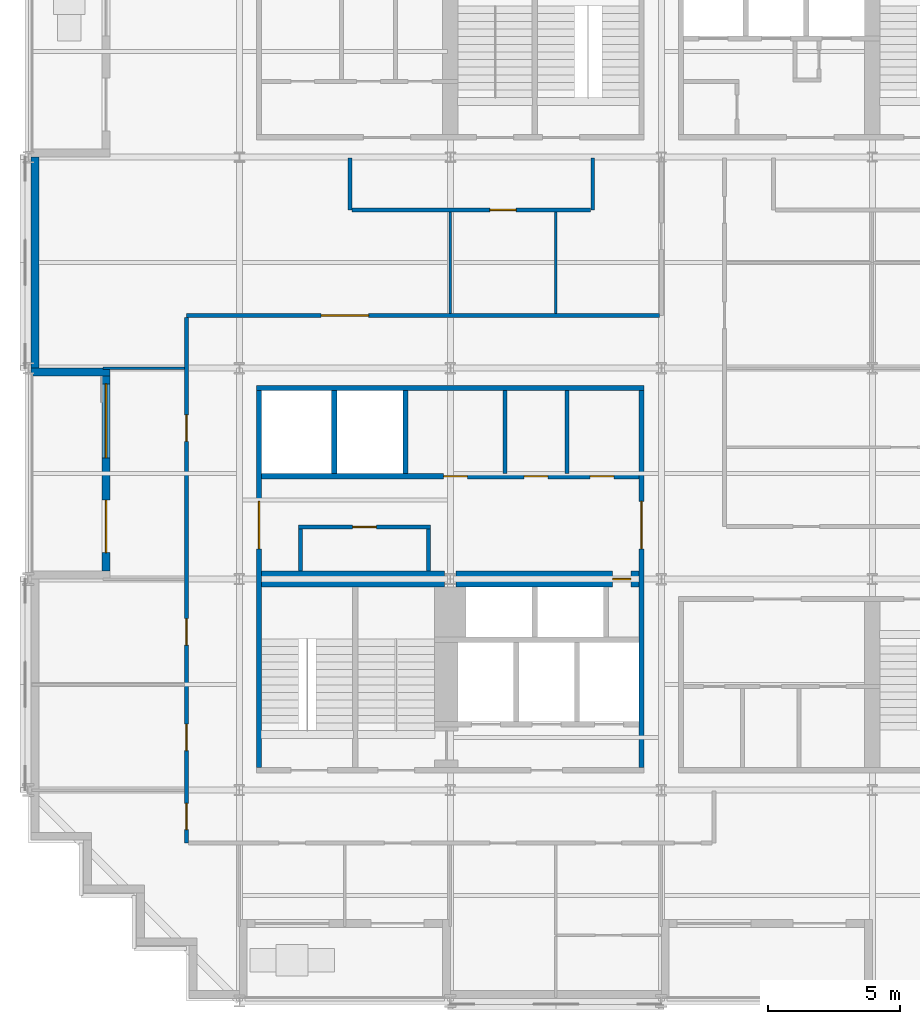
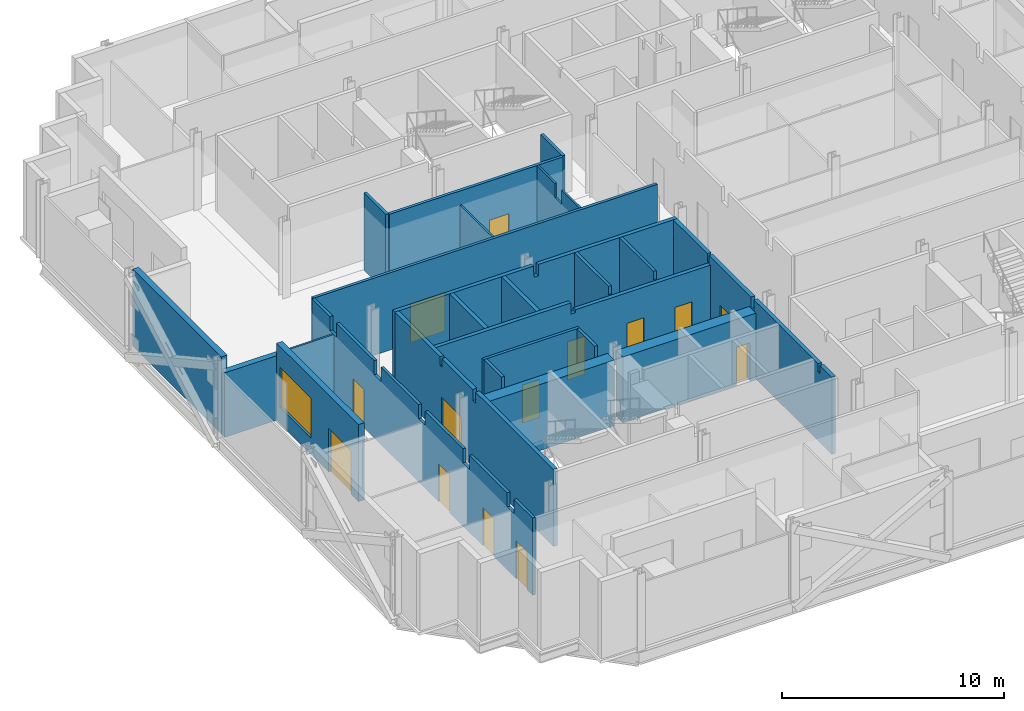
# One storey, part 7 of 15: 24 walls, 14 doors, 1 window, 15 openings.
"""IFC4 building model written with IfcOpenShell, lengths in metres."""

from ifc_helpers import new_model, si_unit, direction, frame, frame_2d, origin, place, context, subcontext, project, spatial, polyline, rectangle, outline, extrude, material, layer, layer_set, type_object, element, fill, save


model = new_model("IFC4")

# Units and contexts
model_context = context("Model", 3, precision=1e-05, world=origin(), true_north=direction((0.0, 1.0)))
body_context = subcontext(model_context, "Body", "Model", "MODEL_VIEW")
ifc_project = project(units=[si_unit("LENGTHUNIT", "METRE"), si_unit("AREAUNIT", "SQUARE_METRE"), si_unit("VOLUMEUNIT", "CUBIC_METRE"), si_unit("PLANEANGLEUNIT", "RADIAN"), si_unit("MASSUNIT", "GRAM", prefix="KILO")], contexts=[model_context])

# Site, building, storey
site_placement = place(None, origin())
site = spatial("IfcSite", under=ifc_project, at=site_placement, CompositionType="ELEMENT")
building_placement = place(site_placement, origin())
building = spatial("IfcBuilding", under=site, at=building_placement, Name="Immortelle Media Tower", CompositionType="ELEMENT")
storey_placement = place(building_placement, frame((0.0, 0.0, 65.60009765625)))
storey = spatial("IfcBuildingStorey", under=building, at=storey_placement, Name="L11", CompositionType="ELEMENT", Elevation=65.60009765625)

# Wall, opening, door
ifc_material_1 = material(Name="Fire-rated masonry blockwork", Category="masonry")
ifc_layer_1 = layer(ifc_material_1, 0.60009765625)
ifc_layer_set_1 = layer_set([ifc_layer_1], Name="Fire-rated masonry blockwork")
wall_type_1 = type_object("IfcWallType", Name="Core grid-line wall 600", PredefinedType="PARTITIONING", material=ifc_layer_set_1)
wall_1_placement = place(storey_placement, frame((16.218505859375, 16.0, 0.0), z_axis=(0.0, 0.0, 1.0), x_axis=(1.0, 0.0, 0.0)))
wall_1 = element("IfcWall", 1, at=wall_1_placement, inside=storey, type_object=wall_type_1, Name="Core grid-line wall SW", PredefinedType="PARTITIONING", context=body_context, shape_type="SweptSolid", body=[
    extrude(rectangle(XDim=6.931396484375, YDim=0.60009765625, at=frame_2d((3.4658203125, 0.0))), origin(), (0.0, 0.0, 1.0), 3.6318359375),
])
opening_1_placement = place(wall_1_placement, frame((6.63134765625, 0.0, 0.0), z_axis=(0.0, 0.0, 1.0), x_axis=(-1.0, 0.0, 0.0)))
opening_1 = element("IfcOpeningElement", 2, at=opening_1_placement, cuts=wall_1, Name="Opening N3-K013", PredefinedType="OPENING", context=body_context, shape_type="SweptSolid", body=[
    extrude(rectangle(XDim=0.699951171875, YDim=2.10009765625, at=frame_2d((0.35009765625, 1.050048828125))), frame((0.0, 0.31005859375, 0.0), z_axis=(0.0, -1.0, 0.0), x_axis=(1.0, 0.0, 0.0)), (0.0, 0.0, 1.0), 0.6201171875),
])
ifc_material_2 = material(Name="Galvanised steel door leaf and frame ASTM A653", Category="steel")
door_type_1 = type_object("IfcDoorType", Name="Service door 700 x 2100", OperationType="NOTDEFINED", PredefinedType="NOTDEFINED", material=ifc_material_2)
door_1_placement = place(opening_1_placement, origin())
door_1 = element("IfcDoor", 3, at=door_1_placement, inside=storey, type_object=door_type_1, Name="Service N3-K013", OperationType="SINGLE_SWING_LEFT", OverallHeight=2.10009765625, OverallWidth=0.699951171875, PredefinedType="NOTDEFINED", context=body_context, shape_type="SweptSolid", body=[
    extrude(rectangle(XDim=0.699951171875, YDim=2.10009765625, at=frame_2d((0.35009765625, 1.050048828125))), frame((0.0, 0.02490234375, 0.0), z_axis=(0.0, -1.0, 0.0), x_axis=(1.0, 0.0, 0.0)), (0.0, 0.0, 1.0), 0.050048828125),
])
fill(opening_1, door_1)

# Wall
ifc_material_3 = material(Name="Fire-rated gypsum board", Category="gypsum")
ifc_layer_2 = layer(ifc_material_3, 0.02490234375)
ifc_material_4 = material(Name="Steel ASTM A653 SS Gr 50 stud frame with mineral wool", Category="steel")
ifc_layer_3 = layer(ifc_material_4, 0.10009765625)
ifc_layer_4 = layer(ifc_material_3, 0.02490234375)
ifc_layer_set_2 = layer_set([ifc_layer_2, ifc_layer_3, ifc_layer_4], Name="Steel ASTM A653 SS Gr 50 stud frame with mineral wool")
wall_type_2 = type_object("IfcWallType", Name="Core partition 150", PredefinedType="PARTITIONING", material=ifc_layer_set_2)
wall_2_placement = place(storey_placement, frame((10.324951171875, 16.300048828125, 0.0), z_axis=(0.0, 0.0, 1.0), x_axis=(0.0, 1.0, 0.0)))
element("IfcWall", 4, at=wall_2_placement, inside=storey, type_object=wall_type_2, Name="Core partition SW", PredefinedType="PARTITIONING", context=body_context, shape_type="SweptSolid", body=[
    extrude(rectangle(XDim=1.599853515625, YDim=0.14990234375, at=frame_2d((0.7998046875, 0.0))), origin(), (0.0, 0.0, 1.0), 4.25),
])

# Wall, opening, door
wall_3_placement = place(storey_placement, frame((10.25, 17.97509765625, 0.0), z_axis=(0.0, 0.0, 1.0), x_axis=(1.0, 0.0, 0.0)))
wall_3 = element("IfcWall", 5, at=wall_3_placement, inside=storey, type_object=wall_type_2, Name="Core partition SW", PredefinedType="PARTITIONING", context=body_context, shape_type="SweptSolid", body=[
    extrude(rectangle(XDim=5.0, YDim=0.14990234375, at=frame_2d((2.5, 0.0))), origin(), (0.0, 0.0, 1.0), 4.25),
])
opening_2_placement = place(wall_3_placement, frame((2.949951171875, 0.0, 0.0), z_axis=(0.0, 0.0, 1.0), x_axis=(-1.0, 0.0, 0.0)))
opening_2 = element("IfcOpeningElement", 6, at=opening_2_placement, cuts=wall_3, Name="Opening N3-K036", PredefinedType="OPENING", context=body_context, shape_type="SweptSolid", body=[
    extrude(rectangle(XDim=0.89990234375, YDim=2.10009765625, at=frame_2d((0.449951171875, 1.050048828125))), frame((0.0, 0.0849609375, 0.0), z_axis=(0.0, -1.0, 0.0), x_axis=(1.0, 0.0, 0.0)), (0.0, 0.0, 1.0), 0.169921875),
])
ifc_material_5 = material(Name="Timber", Category="wood")
door_type_2 = type_object("IfcDoorType", Name="Room door 900 x 2100", OperationType="NOTDEFINED", PredefinedType="NOTDEFINED", material=ifc_material_5)
door_2_placement = place(opening_2_placement, origin())
door_2 = element("IfcDoor", 7, at=door_2_placement, inside=storey, type_object=door_type_2, Name="Room N3-K036", OperationType="SINGLE_SWING_RIGHT", OverallHeight=2.10009765625, OverallWidth=0.89990234375, PredefinedType="NOTDEFINED", context=body_context, shape_type="SweptSolid", body=[
    extrude(rectangle(XDim=0.89990234375, YDim=2.10009765625, at=frame_2d((0.449951171875, 1.050048828125))), frame((0.0, 0.02490234375, 0.0), z_axis=(0.0, -1.0, 0.0), x_axis=(1.0, 0.0, 0.0)), (0.0, 0.0, 1.0), 0.050048828125),
])
fill(opening_2, door_2)

# Walls
wall_4_placement = place(storey_placement, frame((15.175048828125, 16.300048828125, 0.0), z_axis=(0.0, 0.0, 1.0), x_axis=(0.0, 1.0, 0.0)))
element("IfcWall", 8, at=wall_4_placement, inside=storey, type_object=wall_type_2, Name="Core partition SW", PredefinedType="PARTITIONING", context=body_context, shape_type="SweptSolid", body=[
    extrude(rectangle(XDim=1.599853515625, YDim=0.14990234375, at=frame_2d((0.7998046875, 0.0))), origin(), (0.0, 0.0, 1.0), 4.25),
])
for number, where, z_axis, x_axis, name in (
    (9, (18.074951171875, 20.0, 0.0), (0.0, 0.0, 1.0), (0.0, 1.0, 0.0), "Core partition SW"),
    (10, (20.425048828125, 20.0, 0.0), (0.0, 0.0, 1.0), (0.0, 1.0, 0.0), "Core partition SW"),
):
    element("IfcWall", number, at=place(storey_placement, frame(where, z_axis=z_axis, x_axis=x_axis)), inside=storey, type_object=wall_type_2, Name=name, PredefinedType="PARTITIONING", context=body_context, shape_type="SweptSolid", body=[
        extrude(outline(polyline([(0.0, 0.0), (3.14990234375, 0.0), (3.14990234375, 4.25), (0.08154296875, 4.25), (0.08056640625, 3.788818359375), (0.0, 3.788818359375), (0.0, 0.0)])), frame((0.0, 0.074951171875, 0.0), z_axis=(0.0, -1.0, 0.0), x_axis=(1.0, 0.0, 0.0)), (0.0, 0.0, 1.0), 0.14990234375),
    ])
ifc_layer_5 = layer(ifc_material_3, 0.03759765625)
ifc_layer_6 = layer(ifc_material_4, 0.125)
ifc_layer_7 = layer(ifc_material_3, 0.03759765625)
ifc_layer_set_3 = layer_set([ifc_layer_5, ifc_layer_6, ifc_layer_7], Name="Steel ASTM A653 SS Gr 50 stud frame with mineral wool")
wall_type_3 = type_object("IfcWallType", Name="Core shaft wall 200", PredefinedType="PARTITIONING", material=ifc_layer_set_3)
wall_5_placement = place(storey_placement, frame((8.64990234375, 23.25, 0.0), z_axis=(0.0, 0.0, 1.0), x_axis=(1.0, 0.0, 0.0)))
element("IfcWall", 11, at=wall_5_placement, inside=storey, type_object=wall_type_3, Name="Core shaft wall SW", PredefinedType="PARTITIONING", context=body_context, shape_type="SweptSolid", body=[
    extrude(outline(polyline([(0.0, 0.0), (14.7001953125, 0.0), (14.699951171875, 4.25), (7.469482421875, 4.25), (7.468505859375, 3.6318359375), (7.2314453125, 3.6318359375), (7.23046875, 4.25), (0.0, 4.25), (0.0, 0.0)])), frame((0.0, 0.10009765625, 0.0), z_axis=(0.0, -1.0, 0.0), x_axis=(1.0, 0.0, 0.0)), (0.0, 0.0, 1.0), 0.199951171875),
])

# Wall, openings, doors
wall_6_placement = place(storey_placement, frame((8.85009765625, 19.89990234375, 0.0), z_axis=(0.0, 0.0, 1.0), x_axis=(1.0, 0.0, 0.0)))
wall_6 = element("IfcWall", 12, at=wall_6_placement, inside=storey, type_object=wall_type_3, Name="Core shaft wall SW", PredefinedType="PARTITIONING", context=body_context, shape_type="SweptSolid", body=[
    extrude(outline(polyline([(0.0, 0.0), (14.2998046875, 0.0), (14.300048828125, 3.788818359375), (7.26953125, 3.788818359375), (7.2685546875, 3.6318359375), (7.031494140625, 3.6318359375), (7.030517578125, 4.25), (0.0, 4.25), (0.0, 0.0)])), frame((0.0, 0.10009765625, 0.0), z_axis=(0.0, -1.0, 0.0), x_axis=(1.0, 0.0, 0.0)), (0.0, 0.0, 1.0), 0.199951171875),
])
opening_3_placement = place(wall_6_placement, frame((6.89990234375, 0.0, 0.0)))
opening_3 = element("IfcOpeningElement", 13, at=opening_3_placement, cuts=wall_6, Name="Opening N3-K037", PredefinedType="OPENING", context=body_context, shape_type="SweptSolid", body=[
    extrude(rectangle(XDim=0.89990234375, YDim=2.10009765625, at=frame_2d((0.449951171875, 1.050048828125))), frame((0.0, 0.10986328125, 0.0), z_axis=(0.0, -1.0, 0.0), x_axis=(1.0, 0.0, 0.0)), (0.0, 0.0, 1.0), 0.219970703125),
])
opening_4_placement = place(wall_6_placement, frame((9.949951171875, 0.0, 0.0)))
opening_4 = element("IfcOpeningElement", 14, at=opening_4_placement, cuts=wall_6, Name="Opening N3-K038", PredefinedType="OPENING", context=body_context, shape_type="SweptSolid", body=[
    extrude(rectangle(XDim=0.89990234375, YDim=2.10009765625, at=frame_2d((0.449951171875, 1.050048828125))), frame((0.0, 0.10986328125, 0.0), z_axis=(0.0, -1.0, 0.0), x_axis=(1.0, 0.0, 0.0)), (0.0, 0.0, 1.0), 0.219970703125),
])
opening_5_placement = place(wall_6_placement, frame((12.449951171875, 0.0, 0.0)))
opening_5 = element("IfcOpeningElement", 15, at=opening_5_placement, cuts=wall_6, Name="Opening N3-K039", PredefinedType="OPENING", context=body_context, shape_type="SweptSolid", body=[
    extrude(rectangle(XDim=0.89990234375, YDim=2.10009765625, at=frame_2d((0.449951171875, 1.050048828125))), frame((0.0, 0.10986328125, 0.0), z_axis=(0.0, -1.0, 0.0), x_axis=(1.0, 0.0, 0.0)), (0.0, 0.0, 1.0), 0.219970703125),
])
door_3_placement = place(opening_3_placement, origin())
door_3 = element("IfcDoor", 16, at=door_3_placement, inside=storey, type_object=door_type_2, Name="Room N3-K037", OperationType="SINGLE_SWING_RIGHT", OverallHeight=2.10009765625, OverallWidth=0.89990234375, PredefinedType="NOTDEFINED", context=body_context, shape_type="SweptSolid", body=[
    extrude(rectangle(XDim=0.89990234375, YDim=2.10009765625, at=frame_2d((0.449951171875, 1.050048828125))), frame((0.0, 0.02490234375, 0.0), z_axis=(0.0, -1.0, 0.0), x_axis=(1.0, 0.0, 0.0)), (0.0, 0.0, 1.0), 0.050048828125),
])
fill(opening_3, door_3)
door_type_3 = type_object("IfcDoorType", Name="Toilet door 900 x 2100", OperationType="NOTDEFINED", PredefinedType="NOTDEFINED", material=ifc_material_5)
door_4_placement = place(opening_4_placement, origin())
door_4 = element("IfcDoor", 17, at=door_4_placement, inside=storey, type_object=door_type_3, Name="Toilet N3-K038", OperationType="SINGLE_SWING_LEFT", OverallHeight=2.10009765625, OverallWidth=0.89990234375, PredefinedType="NOTDEFINED", context=body_context, shape_type="SweptSolid", body=[
    extrude(rectangle(XDim=0.89990234375, YDim=2.10009765625, at=frame_2d((0.449951171875, 1.050048828125))), frame((0.0, 0.02490234375, 0.0), z_axis=(0.0, -1.0, 0.0), x_axis=(1.0, 0.0, 0.0)), (0.0, 0.0, 1.0), 0.050048828125),
])
fill(opening_4, door_4)
door_5_placement = place(opening_5_placement, origin())
door_5 = element("IfcDoor", 18, at=door_5_placement, inside=storey, type_object=door_type_3, Name="Toilet N3-K039", OperationType="SINGLE_SWING_RIGHT", OverallHeight=2.10009765625, OverallWidth=0.89990234375, PredefinedType="NOTDEFINED", context=body_context, shape_type="SweptSolid", body=[
    extrude(rectangle(XDim=0.89990234375, YDim=2.10009765625, at=frame_2d((0.449951171875, 1.050048828125))), frame((0.0, 0.02490234375, 0.0), z_axis=(0.0, -1.0, 0.0), x_axis=(1.0, 0.0, 0.0)), (0.0, 0.0, 1.0), 0.050048828125),
])
fill(opening_5, door_5)

# Walls
for number, where, z_axis, x_axis, name in (
    (19, (11.60009765625, 20.0, 0.0), (0.0, 0.0, 1.0), (0.0, 1.0, 0.0), "Core shaft wall SW"),
    (20, (14.300048828125, 20.0, 0.0), (0.0, 0.0, 1.0), (0.0, 1.0, 0.0), "Core shaft wall SW"),
):
    element("IfcWall", number, at=place(storey_placement, frame(where, z_axis=z_axis, x_axis=x_axis)), inside=storey, type_object=wall_type_3, Name=name, PredefinedType="PARTITIONING", context=body_context, shape_type="SweptSolid", body=[
        extrude(rectangle(XDim=3.14990234375, YDim=0.199951171875, at=frame_2d((1.574951171875, 0.0))), origin(), (0.0, 0.0, 1.0), 4.25),
    ])

# Wall, opening, door
wall_7_placement = place(storey_placement, frame((23.25, 8.85009765625, 0.0), z_axis=(0.0, 0.0, 1.0), x_axis=(0.0, 1.0, 0.0)))
wall_7 = element("IfcWall", 21, at=wall_7_placement, inside=storey, type_object=wall_type_3, Name="Core shaft wall SW", PredefinedType="PARTITIONING", context=body_context, shape_type="SweptSolid", body=[
    extrude(outline(polyline([(0.0, 0.0), (14.2998046875, 0.0), (14.300048828125, 4.25), (11.2314453125, 4.25), (11.23046875, 3.788818359375), (11.069580078125, 3.788818359375), (11.068603515625, 4.25), (7.26953125, 4.25), (7.2685546875, 3.6318359375), (7.031494140625, 3.6318359375), (7.030517578125, 4.25), (1.2314453125, 4.25), (1.23046875, 3.788818359375), (1.069580078125, 3.788818359375), (1.068603515625, 4.25), (0.0, 4.25), (0.0, 0.0)])), frame((0.0, 0.10009765625, 0.0), z_axis=(0.0, -1.0, 0.0), x_axis=(1.0, 0.0, 0.0)), (0.0, 0.0, 1.0), 0.199951171875),
])
opening_6_placement = place(wall_7_placement, frame((8.300048828125, 0.0, 0.0)))
opening_6 = element("IfcOpeningElement", 22, at=opening_6_placement, cuts=wall_7, Name="Opening N3-K014", PredefinedType="OPENING", context=body_context, shape_type="SweptSolid", body=[
    extrude(rectangle(XDim=1.800048828125, YDim=2.10009765625, at=frame_2d((0.89990234375, 1.050048828125))), frame((0.0, 0.10986328125, 0.0), z_axis=(0.0, -1.0, 0.0), x_axis=(1.0, 0.0, 0.0)), (0.0, 0.0, 1.0), 0.219970703125),
])
door_type_4 = type_object("IfcDoorType", Name="Lift lobby door 1800 x 2100", OperationType="DOUBLE_DOOR_SINGLE_SWING", PredefinedType="NOTDEFINED", material=ifc_material_2)
door_6_placement = place(opening_6_placement, origin())
door_6 = element("IfcDoor", 23, at=door_6_placement, inside=storey, type_object=door_type_4, Name="Lift lobby N3-K014", OperationType="DOUBLE_DOOR_SINGLE_SWING", OverallHeight=2.10009765625, OverallWidth=1.800048828125, PredefinedType="NOTDEFINED", context=body_context, shape_type="SweptSolid", body=[
    extrude(rectangle(XDim=1.800048828125, YDim=2.10009765625, at=frame_2d((0.89990234375, 1.050048828125))), frame((0.0, 0.02490234375, 0.0), z_axis=(0.0, -1.0, 0.0), x_axis=(1.0, 0.0, 0.0)), (0.0, 0.0, 1.0), 0.050048828125),
])
fill(opening_6, door_6)

# Wall, openings, doors
ifc_layer_8 = layer(ifc_material_3, 0.012451171875)
ifc_layer_9 = layer(ifc_material_4, 0.125)
ifc_layer_10 = layer(ifc_material_3, 0.012451171875)
ifc_layer_set_4 = layer_set([ifc_layer_8, ifc_layer_9, ifc_layer_10], Name="Steel ASTM A653 SS Gr 50 stud frame with mineral wool")
wall_type_4 = type_object("IfcWallType", Name="Corridor wall 150", PredefinedType="PARTITIONING", material=ifc_layer_set_4)
wall_8_placement = place(storey_placement, frame((6.0, 6.0, 0.0), z_axis=(0.0, 0.0, 1.0), x_axis=(0.0, 1.0, 0.0)))
wall_8 = element("IfcWall", 24, at=wall_8_placement, inside=storey, type_object=wall_type_4, Name="Partition L11-009", PredefinedType="PARTITIONING", context=body_context, shape_type="SweptSolid", body=[
    extrude(outline(polyline([(0.0, 0.0), (19.925048828125, 0.0), (19.925048828125, 4.25), (18.300048828125, 4.25), (18.298095703125, 3.469970703125), (17.701904296875, 3.469970703125), (17.699951171875, 4.25), (14.300048828125, 4.25), (14.298095703125, 3.469970703125), (13.701904296875, 3.469970703125), (13.699951171875, 4.25), (10.300048828125, 4.25), (10.298095703125, 3.469970703125), (9.701904296875, 3.469970703125), (9.699951171875, 4.25), (6.300048828125, 4.25), (6.298095703125, 3.469970703125), (5.701904296875, 3.469970703125), (5.699951171875, 4.25), (2.300048828125, 4.25), (2.298095703125, 3.469970703125), (1.701904296875, 3.469970703125), (1.699951171875, 4.25), (0.0, 4.25), (0.0, 0.0)])), frame((0.0, 0.074951171875, 0.0), z_axis=(0.0, -1.0, 0.0), x_axis=(1.0, 0.0, 0.0)), (0.0, 0.0, 1.0), 0.14990234375),
])
opening_7_placement = place(wall_8_placement, frame((0.5, 0.0, 0.0)))
opening_7 = element("IfcOpeningElement", 25, at=opening_7_placement, cuts=wall_8, Name="Opening N3-F007", PredefinedType="OPENING", context=body_context, shape_type="SweptSolid", body=[
    extrude(rectangle(XDim=1.0, YDim=2.10009765625, at=frame_2d((0.5, 1.050048828125))), frame((0.0, 0.0849609375, 0.0), z_axis=(0.0, -1.0, 0.0), x_axis=(1.0, 0.0, 0.0)), (0.0, 0.0, 1.0), 0.169921875),
])
opening_8_placement = place(wall_8_placement, frame((3.5, 0.0, 0.0)))
opening_8 = element("IfcOpeningElement", 26, at=opening_8_placement, cuts=wall_8, Name="Opening N3-F008", PredefinedType="OPENING", context=body_context, shape_type="SweptSolid", body=[
    extrude(rectangle(XDim=1.0, YDim=2.10009765625, at=frame_2d((0.5, 1.050048828125))), frame((0.0, 0.0849609375, 0.0), z_axis=(0.0, -1.0, 0.0), x_axis=(1.0, 0.0, 0.0)), (0.0, 0.0, 1.0), 0.169921875),
])
opening_9_placement = place(wall_8_placement, frame((7.5, 0.0, 0.0)))
opening_9 = element("IfcOpeningElement", 27, at=opening_9_placement, cuts=wall_8, Name="Opening N3-F009", PredefinedType="OPENING", context=body_context, shape_type="SweptSolid", body=[
    extrude(rectangle(XDim=1.0, YDim=2.10009765625, at=frame_2d((0.5, 1.050048828125))), frame((0.0, 0.0849609375, 0.0), z_axis=(0.0, -1.0, 0.0), x_axis=(1.0, 0.0, 0.0)), (0.0, 0.0, 1.0), 0.169921875),
])
opening_10_placement = place(wall_8_placement, frame((15.22509765625, 0.0, 0.0)))
opening_10 = element("IfcOpeningElement", 28, at=opening_10_placement, cuts=wall_8, Name="Opening N3-F011", PredefinedType="OPENING", context=body_context, shape_type="SweptSolid", body=[
    extrude(rectangle(XDim=1.0, YDim=2.10009765625, at=frame_2d((0.5, 1.050048828125))), frame((0.0, 0.0849609375, 0.0), z_axis=(0.0, -1.0, 0.0), x_axis=(1.0, 0.0, 0.0)), (0.0, 0.0, 1.0), 0.169921875),
])
ifc_material_6 = material(Name="Timber veneered door leaf, galvanised steel frame ASTM A653", Category="steel")
door_type_5 = type_object("IfcDoorType", Name="Room door 1000 x 2100", OperationType="NOTDEFINED", PredefinedType="DOOR", material=ifc_material_6)
door_7_placement = place(opening_7_placement, origin())
door_7 = element("IfcDoor", 29, at=door_7_placement, inside=storey, type_object=door_type_5, Name="Door N3-F007", OperationType="SINGLE_SWING_RIGHT", OverallHeight=2.10009765625, OverallWidth=1.0, PredefinedType="DOOR", context=body_context, shape_type="SweptSolid", body=[
    extrude(rectangle(XDim=1.0, YDim=2.10009765625, at=frame_2d((0.5, 1.050048828125))), frame((0.0, 0.02490234375, 0.0), z_axis=(0.0, -1.0, 0.0), x_axis=(1.0, 0.0, 0.0)), (0.0, 0.0, 1.0), 0.050048828125),
])
fill(opening_7, door_7)
door_8_placement = place(opening_8_placement, origin())
door_8 = element("IfcDoor", 30, at=door_8_placement, inside=storey, type_object=door_type_5, Name="Door N3-F008", OperationType="SINGLE_SWING_LEFT", OverallHeight=2.10009765625, OverallWidth=1.0, PredefinedType="DOOR", context=body_context, shape_type="SweptSolid", body=[
    extrude(rectangle(XDim=1.0, YDim=2.10009765625, at=frame_2d((0.5, 1.050048828125))), frame((0.0, 0.02490234375, 0.0), z_axis=(0.0, -1.0, 0.0), x_axis=(1.0, 0.0, 0.0)), (0.0, 0.0, 1.0), 0.050048828125),
])
fill(opening_8, door_8)
door_9_placement = place(opening_9_placement, origin())
door_9 = element("IfcDoor", 31, at=door_9_placement, inside=storey, type_object=door_type_5, Name="Door N3-F009", OperationType="SINGLE_SWING_LEFT", OverallHeight=2.10009765625, OverallWidth=1.0, PredefinedType="DOOR", context=body_context, shape_type="SweptSolid", body=[
    extrude(rectangle(XDim=1.0, YDim=2.10009765625, at=frame_2d((0.5, 1.050048828125))), frame((0.0, 0.02490234375, 0.0), z_axis=(0.0, -1.0, 0.0), x_axis=(1.0, 0.0, 0.0)), (0.0, 0.0, 1.0), 0.050048828125),
])
fill(opening_9, door_9)
door_10_placement = place(opening_10_placement, origin())
door_10 = element("IfcDoor", 32, at=door_10_placement, inside=storey, type_object=door_type_5, Name="Door N3-F011", OperationType="SINGLE_SWING_RIGHT", OverallHeight=2.10009765625, OverallWidth=1.0, PredefinedType="DOOR", context=body_context, shape_type="SweptSolid", body=[
    extrude(rectangle(XDim=1.0, YDim=2.10009765625, at=frame_2d((0.5, 1.050048828125))), frame((0.0, 0.02490234375, 0.0), z_axis=(0.0, -1.0, 0.0), x_axis=(1.0, 0.0, 0.0)), (0.0, 0.0, 1.0), 0.050048828125),
])
fill(opening_10, door_10)

# Wall, opening, door
wall_9_placement = place(storey_placement, frame((6.0, 26.0, 0.0), z_axis=(0.0, 0.0, 1.0), x_axis=(1.0, 0.0, 0.0)))
wall_9 = element("IfcWall", 33, at=wall_9_placement, inside=storey, type_object=wall_type_4, Name="Partition L11-030", PredefinedType="PARTITIONING", context=body_context, shape_type="SweptSolid", body=[
    extrude(rectangle(XDim=17.925048828125, YDim=0.14990234375, at=frame_2d((8.96240234375, 0.0))), origin(), (0.0, 0.0, 1.0), 4.25),
])
opening_11_placement = place(wall_9_placement, frame((5.10009765625, 0.0, 0.0)))
opening_11 = element("IfcOpeningElement", 34, at=opening_11_placement, cuts=wall_9, Name="Opening N3-F025", PredefinedType="OPENING", context=body_context, shape_type="SweptSolid", body=[
    extrude(rectangle(XDim=1.800048828125, YDim=2.10009765625, at=frame_2d((0.89990234375, 1.050048828125))), frame((0.0, 0.0849609375, 0.0), z_axis=(0.0, -1.0, 0.0), x_axis=(1.0, 0.0, 0.0)), (0.0, 0.0, 1.0), 0.169921875),
])
door_type_6 = type_object("IfcDoorType", Name="Room door 1800 x 2100", OperationType="DOUBLE_DOOR_SINGLE_SWING", PredefinedType="DOOR", material=ifc_material_6)
door_11_placement = place(opening_11_placement, origin())
door_11 = element("IfcDoor", 35, at=door_11_placement, inside=storey, type_object=door_type_6, Name="Door N3-F025", OperationType="DOUBLE_DOOR_SINGLE_SWING", OverallHeight=2.10009765625, OverallWidth=1.800048828125, PredefinedType="DOOR", context=body_context, shape_type="SweptSolid", body=[
    extrude(rectangle(XDim=1.800048828125, YDim=2.10009765625, at=frame_2d((0.89990234375, 1.050048828125))), frame((0.0, 0.02490234375, 0.0), z_axis=(0.0, -1.0, 0.0), x_axis=(1.0, 0.0, 0.0)), (0.0, 0.0, 1.0), 0.050048828125),
])
fill(opening_11, door_11)

wall_10_placement = place(storey_placement, frame((12.27490234375, 30.0, 0.0), z_axis=(0.0, 0.0, 1.0), x_axis=(1.0, 0.0, 0.0)))
wall_10 = element("IfcWall", 36, at=wall_10_placement, inside=storey, type_object=wall_type_4, Name="Partition L11-039", PredefinedType="PARTITIONING", context=body_context, shape_type="SweptSolid", body=[
    extrude(rectangle(XDim=9.050048828125, YDim=0.14990234375, at=frame_2d((4.52490234375, 0.0))), origin(), (0.0, 0.0, 1.0), 4.25),
])
opening_12_placement = place(wall_10_placement, frame((6.22509765625, 0.0, 0.0), z_axis=(0.0, 0.0, 1.0), x_axis=(-1.0, 0.0, 0.0)))
opening_12 = element("IfcOpeningElement", 37, at=opening_12_placement, cuts=wall_10, Name="Opening N3-F023", PredefinedType="OPENING", context=body_context, shape_type="SweptSolid", body=[
    extrude(rectangle(XDim=1.0, YDim=2.10009765625, at=frame_2d((0.5, 1.050048828125))), frame((0.0, 0.0849609375, 0.0), z_axis=(0.0, -1.0, 0.0), x_axis=(1.0, 0.0, 0.0)), (0.0, 0.0, 1.0), 0.169921875),
])
door_12_placement = place(opening_12_placement, origin())
door_12 = element("IfcDoor", 38, at=door_12_placement, inside=storey, type_object=door_type_5, Name="Door N3-F023", OperationType="SINGLE_SWING_RIGHT", OverallHeight=2.10009765625, OverallWidth=1.0, PredefinedType="DOOR", context=body_context, shape_type="SweptSolid", body=[
    extrude(rectangle(XDim=1.0, YDim=2.10009765625, at=frame_2d((0.5, 1.050048828125))), frame((0.0, 0.02490234375, 0.0), z_axis=(0.0, -1.0, 0.0), x_axis=(1.0, 0.0, 0.0)), (0.0, 0.0, 1.0), 0.050048828125),
])
fill(opening_12, door_12)

# Walls
for number, where, z_axis, x_axis, name in (
    (39, (12.199951171875, 30.0, 0.0), (0.0, 0.0, 1.0), (0.0, 1.0, 0.0), "Partition L11-040"),
    (40, (21.39990234375, 30.0, 0.0), (0.0, 0.0, 1.0), (0.0, 1.0, 0.0), "Partition L11-041"),
):
    element("IfcWall", number, at=place(storey_placement, frame(where, z_axis=z_axis, x_axis=x_axis)), inside=storey, type_object=wall_type_4, Name=name, PredefinedType="PARTITIONING", context=body_context, shape_type="SweptSolid", body=[
        extrude(rectangle(XDim=1.969970703125, YDim=0.14990234375, at=frame_2d((0.98486328125, 0.0))), origin(), (0.0, 0.0, 1.0), 4.25),
    ])
ifc_material_7 = material(Name="Pale aluminium cladding panel", Category="aluminium")
ifc_layer_11 = layer(ifc_material_7, 0.030029296875)
ifc_layer_12 = layer(ifc_material_4, 0.257568359375)
ifc_material_8 = material(Name="Moisture-resistant gypsum board", Category="gypsum")
ifc_layer_13 = layer(ifc_material_8, 0.012451171875)
ifc_layer_set_5 = layer_set([ifc_layer_11, ifc_layer_12, ifc_layer_13], Name="Steel ASTM A653 SS Gr 50 stud frame with mineral wool")
wall_type_5 = type_object("IfcWallType", Name="Facade wall 300", PredefinedType="SOLIDWALL", material=ifc_layer_set_5)
wall_11_placement = place(storey_placement, frame((0.25, 32.0, 0.0), z_axis=(0.0, 0.0, 1.0), x_axis=(0.0, -1.0, 0.0)))
element("IfcWall", 41, at=wall_11_placement, inside=storey, type_object=wall_type_5, Name="Facade wall L11 W0", PredefinedType="SOLIDWALL", context=body_context, shape_type="SweptSolid", body=[
    extrude(rectangle(XDim=8.0, YDim=0.300048828125, at=frame_2d((4.0, 0.0))), origin(), (0.0, 0.0, 1.0), 4.25),
])

# Wall, openings, door, window
wall_12_placement = place(storey_placement, frame((2.949951171875, 23.699951171875, 0.0), z_axis=(0.0, 0.0, 1.0), x_axis=(0.0, -1.0, 0.0)))
wall_12 = element("IfcWall", 42, at=wall_12_placement, inside=storey, type_object=wall_type_5, Name="Loggia wall L11 W0", PredefinedType="SOLIDWALL", context=body_context, shape_type="SweptSolid", body=[
    extrude(rectangle(XDim=7.39990234375, YDim=0.300048828125, at=frame_2d((3.699951171875, 0.0))), origin(), (0.0, 0.0, 1.0), 4.25),
])
opening_13_placement = place(wall_12_placement, frame((0.300048828125, 0.0, 0.89990234375)))
opening_13 = element("IfcOpeningElement", 43, at=opening_13_placement, cuts=wall_12, Name="Opening W1", PredefinedType="OPENING", context=body_context, shape_type="SweptSolid", body=[
    extrude(rectangle(XDim=2.800048828125, YDim=2.199951171875, at=frame_2d((1.39990234375, 1.10009765625))), frame((0.0, 0.159912109375, 0.0), z_axis=(0.0, -1.0, 0.0), x_axis=(1.0, 0.0, 0.0)), (0.0, 0.0, 1.0), 0.320068359375),
])
opening_14_placement = place(wall_12_placement, frame((4.699951171875, 0.0, 0.0)))
opening_14 = element("IfcOpeningElement", 44, at=opening_14_placement, cuts=wall_12, Name="Opening N3-E002", PredefinedType="OPENING", context=body_context, shape_type="SweptSolid", body=[
    extrude(rectangle(XDim=2.0, YDim=2.39990234375, at=frame_2d((1.0, 1.199951171875))), frame((0.0, 0.159912109375, 0.0), z_axis=(0.0, -1.0, 0.0), x_axis=(1.0, 0.0, 0.0)), (0.0, 0.0, 1.0), 0.320068359375),
])
ifc_material_9 = material(Name="Aluminium frame, glazed leaves", Category="aluminium")
door_type_7 = type_object("IfcDoorType", Name="Loggia door 2000 x 2400", OperationType="DOUBLE_DOOR_SINGLE_SWING", PredefinedType="DOOR", material=ifc_material_9)
door_13_placement = place(opening_14_placement, origin())
door_13 = element("IfcDoor", 45, at=door_13_placement, inside=storey, type_object=door_type_7, Name="Door N3-E002", OperationType="DOUBLE_DOOR_SINGLE_SWING", OverallHeight=2.39990234375, OverallWidth=2.0, PredefinedType="DOOR", context=body_context, shape_type="SweptSolid", body=[
    extrude(rectangle(XDim=2.0, YDim=2.39990234375, at=frame_2d((1.0, 1.199951171875))), frame((0.0, 0.02490234375, 0.0), z_axis=(0.0, -1.0, 0.0), x_axis=(1.0, 0.0, 0.0)), (0.0, 0.0, 1.0), 0.050048828125),
])
fill(opening_14, door_13)
ifc_material_10 = material(Name="Aluminium frame", Category="aluminium")
window_type = type_object("IfcWindowType", Name="Window 2800 x 2200", PartitioningType="SINGLE_PANEL", PredefinedType="WINDOW", material=ifc_material_10)
window_placement = place(opening_13_placement, origin())
window = element("IfcWindow", 46, at=window_placement, inside=storey, type_object=window_type, Name="Window L11 L11-R0-B2", OverallHeight=2.199951171875, OverallWidth=2.800048828125, PartitioningType="SINGLE_PANEL", PredefinedType="WINDOW", context=body_context, shape_type="SweptSolid", body=[
    extrude(rectangle(XDim=2.800048828125, YDim=2.199951171875, at=frame_2d((1.39990234375, 1.10009765625))), frame((0.0, 0.030029296875, 0.0), z_axis=(0.0, -1.0, 0.0), x_axis=(1.0, 0.0, 0.0)), (0.0, 0.0, 1.0), 0.06005859375),
])
fill(opening_13, window)

# Walls
wall_13_placement = place(storey_placement, frame((0.10009765625, 23.85009765625, 0.0), z_axis=(0.0, 0.0, 1.0), x_axis=(1.0, 0.0, 0.0)))
element("IfcWall", 47, at=wall_13_placement, inside=storey, type_object=wall_type_5, Name="Loggia cheek wall L11 W", PredefinedType="SOLIDWALL", context=body_context, shape_type="SweptSolid", body=[
    extrude(rectangle(XDim=3.0, YDim=0.300048828125, at=frame_2d((1.5, 0.0))), origin(), (0.0, 0.0, 1.0), 3.555908203125),
])
ifc_material_11 = material(Name="Gypsum board", Category="gypsum")
ifc_layer_14 = layer(ifc_material_11, 0.012451171875)
ifc_layer_15 = layer(ifc_material_4, 0.074951171875)
ifc_layer_16 = layer(ifc_material_11, 0.012451171875)
ifc_layer_set_6 = layer_set([ifc_layer_14, ifc_layer_15, ifc_layer_16], Name="Steel ASTM A653 SS Gr 50 stud frame with mineral wool")
wall_type_6 = type_object("IfcWallType", Name="Partition 100", PredefinedType="PARTITIONING", material=ifc_layer_set_6)
wall_14_placement = place(storey_placement, frame((2.830078125, 24.0, 0.0), z_axis=(0.0, 0.0, 1.0), x_axis=(1.0, 0.0, 0.0)))
element("IfcWall", 48, at=wall_14_placement, inside=storey, type_object=wall_type_6, Name="Partition L11-023", PredefinedType="PARTITIONING", context=body_context, shape_type="SweptSolid", body=[
    extrude(rectangle(XDim=3.094970703125, YDim=0.10009765625, at=frame_2d((1.54736328125, 0.0))), origin(), (0.0, 0.0, 1.0), 3.469970703125),
])
wall_15_placement = place(storey_placement, frame((16.0, 26.074951171875, 0.0), z_axis=(0.0, 0.0, 1.0), x_axis=(0.0, 1.0, 0.0)))
element("IfcWall", 49, at=wall_15_placement, inside=storey, type_object=wall_type_6, Name="Partition L11-031", PredefinedType="PARTITIONING", context=body_context, shape_type="SweptSolid", body=[
    extrude(rectangle(XDim=3.85009765625, YDim=0.10009765625, at=frame_2d((1.925048828125, 0.0))), origin(), (0.0, 0.0, 1.0), 3.469970703125),
])
wall_16_placement = place(storey_placement, frame((20.0, 26.074951171875, 0.0), z_axis=(0.0, 0.0, 1.0), x_axis=(0.0, 1.0, 0.0)))
element("IfcWall", 50, at=wall_16_placement, inside=storey, type_object=wall_type_6, Name="Partition L11-032", PredefinedType="PARTITIONING", context=body_context, shape_type="SweptSolid", body=[
    extrude(outline(polyline([(0.0, 0.0), (3.85009765625, 0.0), (3.85009765625, 4.25), (2.22509765625, 4.25), (2.222900390625, 3.469970703125), (1.626953125, 3.469970703125), (1.625, 4.25), (0.0, 4.25), (0.0, 0.0)])), frame((0.0, 0.050048828125, 0.0), z_axis=(0.0, -1.0, 0.0), x_axis=(1.0, 0.0, 0.0)), (0.0, 0.0, 1.0), 0.10009765625),
])

# Wall, opening, door
ifc_material_12 = material(Name="Concrete C60", Category="concrete")
ifc_layer_17 = layer(ifc_material_12, 0.199951171875)
ifc_layer_set_7 = layer_set([ifc_layer_17], Name="Concrete C60")
wall_type_7 = type_object("IfcWallType", Name="Stair shaft wall 200", PredefinedType="PARTITIONING", material=ifc_layer_set_7)
wall_17_placement = place(storey_placement, frame((8.75, 8.85009765625, 0.0), z_axis=(0.0, 0.0, 1.0), x_axis=(0.0, 1.0, 0.0)))
wall_17 = element("IfcWall", 51, at=wall_17_placement, inside=storey, type_object=wall_type_7, Name="Stair shaft wall SW", PredefinedType="PARTITIONING", context=body_context, shape_type="SweptSolid", body=[
    extrude(outline(polyline([(0.0, 0.0), (14.2998046875, 0.0), (14.300048828125, 4.25), (10.2314453125, 4.25), (10.23046875, 3.788818359375), (10.069580078125, 3.788818359375), (10.068603515625, 4.25), (7.26953125, 4.25), (7.2685546875, 3.6318359375), (7.031494140625, 3.6318359375), (7.030517578125, 4.25), (0.0, 4.25), (0.0, 0.0)])), frame((0.0, 0.10009765625, 0.0), z_axis=(0.0, -1.0, 0.0), x_axis=(1.0, 0.0, 0.0)), (0.0, 0.0, 1.0), 0.199951171875),
])
opening_15_placement = place(wall_17_placement, frame((8.300048828125, 0.0, 0.0)))
opening_15 = element("IfcOpeningElement", 52, at=opening_15_placement, cuts=wall_17, Name="Opening N3-K001", PredefinedType="OPENING", context=body_context, shape_type="SweptSolid", body=[
    extrude(rectangle(XDim=1.800048828125, YDim=2.10009765625, at=frame_2d((0.89990234375, 1.050048828125))), frame((0.0, 0.10986328125, 0.0), z_axis=(0.0, -1.0, 0.0), x_axis=(1.0, 0.0, 0.0)), (0.0, 0.0, 1.0), 0.219970703125),
])
door_14_placement = place(opening_15_placement, origin())
door_14 = element("IfcDoor", 53, at=door_14_placement, inside=storey, type_object=door_type_4, Name="Lift lobby N3-K001", OperationType="DOUBLE_DOOR_SINGLE_SWING", OverallHeight=2.10009765625, OverallWidth=1.800048828125, PredefinedType="NOTDEFINED", context=body_context, shape_type="SweptSolid", body=[
    extrude(rectangle(XDim=1.800048828125, YDim=2.10009765625, at=frame_2d((0.89990234375, 1.050048828125))), frame((0.0, 0.02490234375, 0.0), z_axis=(0.0, -1.0, 0.0), x_axis=(1.0, 0.0, 0.0)), (0.0, 0.0, 1.0), 0.050048828125),
])
fill(opening_15, door_14)

# Wall
ifc_layer_18 = layer(ifc_material_12, 0.60009765625)
ifc_layer_set_8 = layer_set([ifc_layer_18], Name="Concrete C60")
wall_type_8 = type_object("IfcWallType", Name="Stair shaft wall 600", PredefinedType="PARTITIONING", material=ifc_layer_set_8)
wall_18_placement = place(storey_placement, frame((8.85009765625, 16.0, 0.0), z_axis=(0.0, 0.0, 1.0), x_axis=(1.0, 0.0, 0.0)))
element("IfcWall", 54, at=wall_18_placement, inside=storey, type_object=wall_type_8, Name="Stair shaft wall SW", PredefinedType="PARTITIONING", context=body_context, shape_type="SweptSolid", body=[
    extrude(rectangle(XDim=6.931396484375, YDim=0.60009765625, at=frame_2d((3.4658203125, 0.0))), origin(), (0.0, 0.0, 1.0), 3.6318359375),
])

save(model, "model.ifc")
